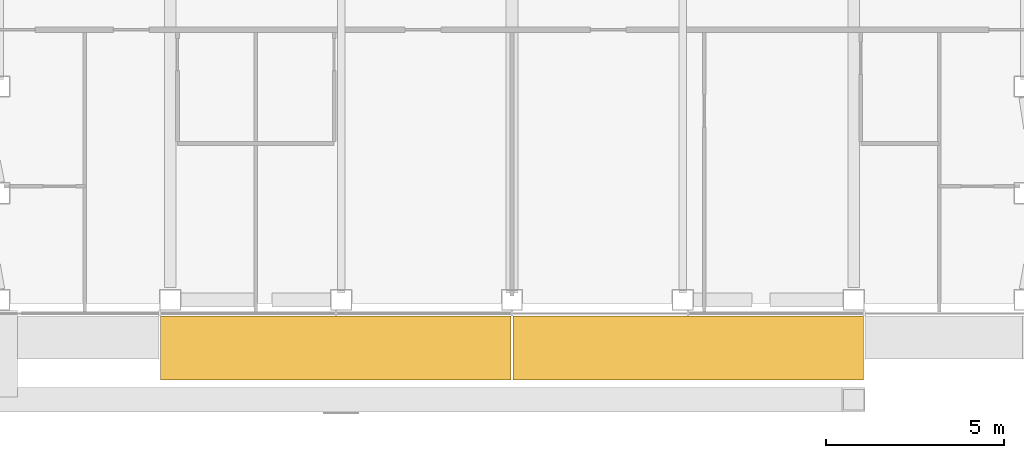
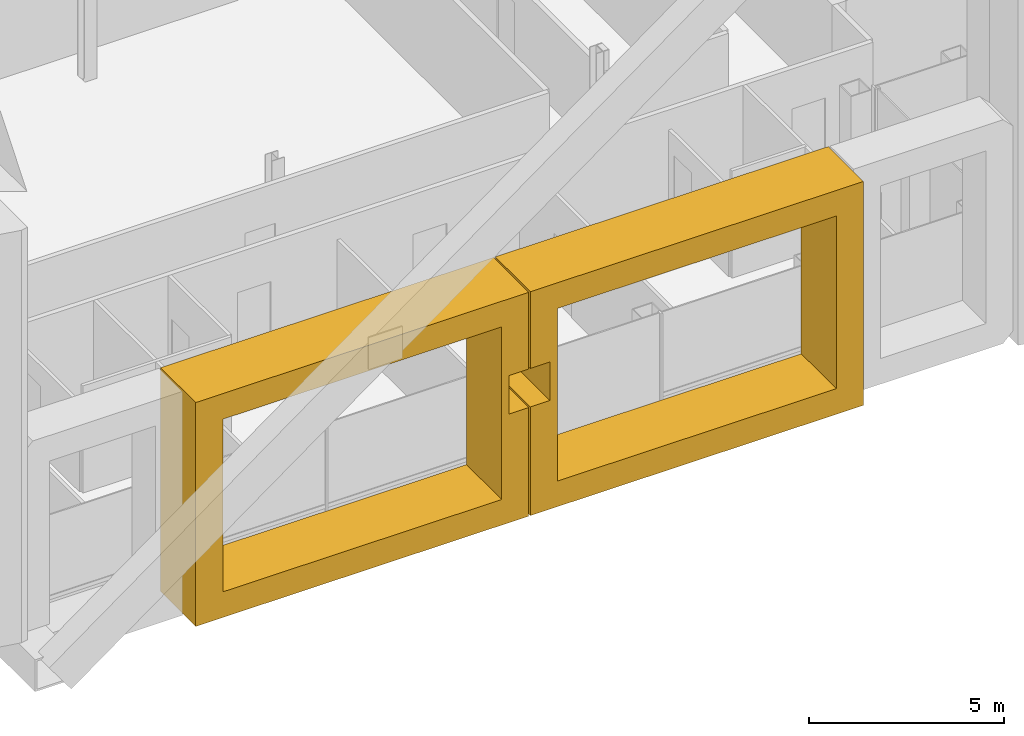
# One storey, part 19 of 29: 2 coverings.
"""IFC4 building model written with IfcOpenShell, lengths in metres."""

from ifc_helpers import new_model, si_unit, direction, frame, origin, place, context, subcontext, project, spatial, polyline, outline, extrude, material, type_object, element, save


model = new_model("IFC4")

# Units and contexts
model_context = context("Model", 3, precision=1e-05, world=origin(), true_north=direction((0.0, 1.0)))
body_context = subcontext(model_context, "Body", "Model", "MODEL_VIEW")
ifc_project = project(units=[si_unit("LENGTHUNIT", "METRE"), si_unit("AREAUNIT", "SQUARE_METRE"), si_unit("VOLUMEUNIT", "CUBIC_METRE"), si_unit("PLANEANGLEUNIT", "RADIAN"), si_unit("MASSUNIT", "GRAM", prefix="KILO")], contexts=[model_context])

# Site, building, storey
site_placement = place(None, origin())
site = spatial("IfcSite", under=ifc_project, at=site_placement, CompositionType="ELEMENT")
building_placement = place(site_placement, origin())
building = spatial("IfcBuilding", under=site, at=building_placement, Name="Cobrizo Arcos Hotel Tower", CompositionType="ELEMENT")
storey_placement = place(building_placement, frame((0.0, 0.0, 241.0)))
storey = spatial("IfcBuildingStorey", under=building, at=storey_placement, Name="L63", CompositionType="ELEMENT", Elevation=241.0)

# Coverings
ifc_material = material(Name="Aluminium 6063-T6 anodised bronze", Category="aluminium")
covering_type = type_object("IfcCoveringType", Name="FIN-F 1800", PredefinedType="CLADDING", material=ifc_material)
covering_1_placement = place(storey_placement, frame((-9.875, -20.85009765625, 0.0), z_axis=(0.0, -1.0, 0.0), x_axis=(1.0, 0.0, 0.0)))
element("IfcCovering", 1, at=covering_1_placement, inside=storey, type_object=covering_type, Name="Fin frame 408", PredefinedType="CLADDING", context=body_context, shape_type="SweptSolid", body=[
    extrude(outline(polyline([(9.85009765625, 0.0), (9.85009765625, 3.39794921875), (9.27294921875, 3.39794921875), (9.27294921875, 4.60205078125), (9.85009765625, 4.60205078125), (9.85009765625, 7.0), (0.0, 7.0), (0.0, 0.0), (9.85009765625, 0.0)]), holes=[polyline([(9.050048828125, 0.800048828125), (0.800048828125, 0.800048828125), (0.800048828125, 6.199951171875), (9.050048828125, 6.199951171875), (9.050048828125, 0.800048828125)])]), origin(), (0.0, 0.0, 1.0), 1.7998046875),
])
covering_2_placement = place(storey_placement, frame((0.02490234375, -20.85009765625, 0.0), z_axis=(0.0, -1.0, 0.0), x_axis=(1.0, 0.0, 0.0)))
element("IfcCovering", 2, at=covering_2_placement, inside=storey, type_object=covering_type, Name="Fin frame 409", PredefinedType="CLADDING", context=body_context, shape_type="SweptSolid", body=[
    extrude(outline(polyline([(0.0, 7.0), (0.0, 4.60205078125), (0.576904296875, 4.60205078125), (0.576904296875, 3.39794921875), (0.0, 3.39794921875), (0.0, 0.0), (9.85009765625, 0.0), (9.85009765625, 7.0), (0.0, 7.0)]), holes=[polyline([(9.050048828125, 0.800048828125), (0.800048828125, 0.800048828125), (0.800048828125, 6.199951171875), (9.050048828125, 6.199951171875), (9.050048828125, 0.800048828125)])]), origin(), (0.0, 0.0, 1.0), 1.7998046875),
])

save(model, "model.ifc")
